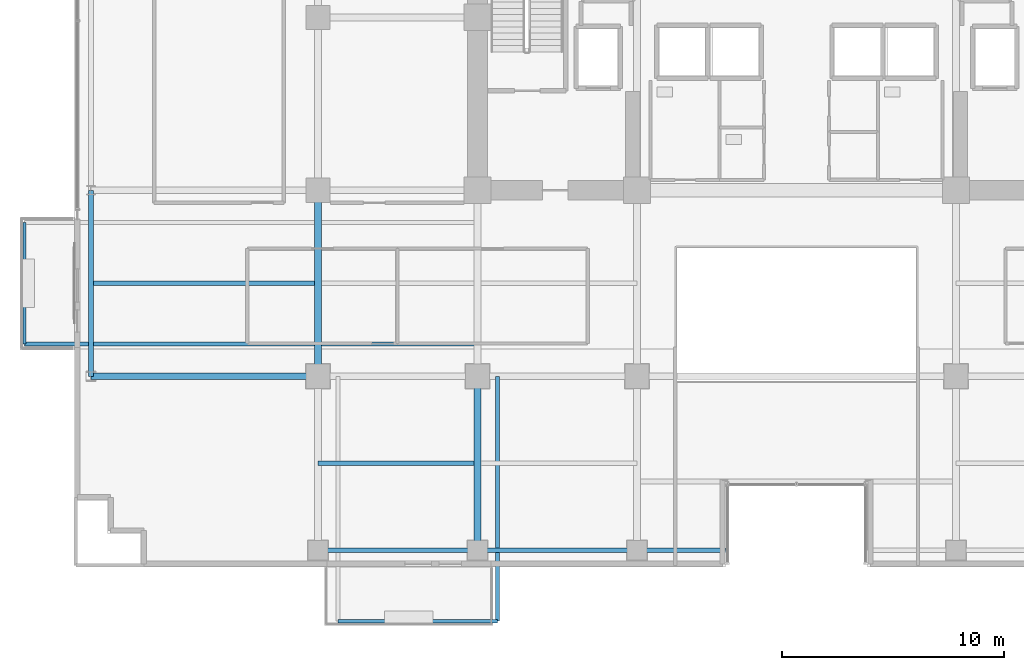
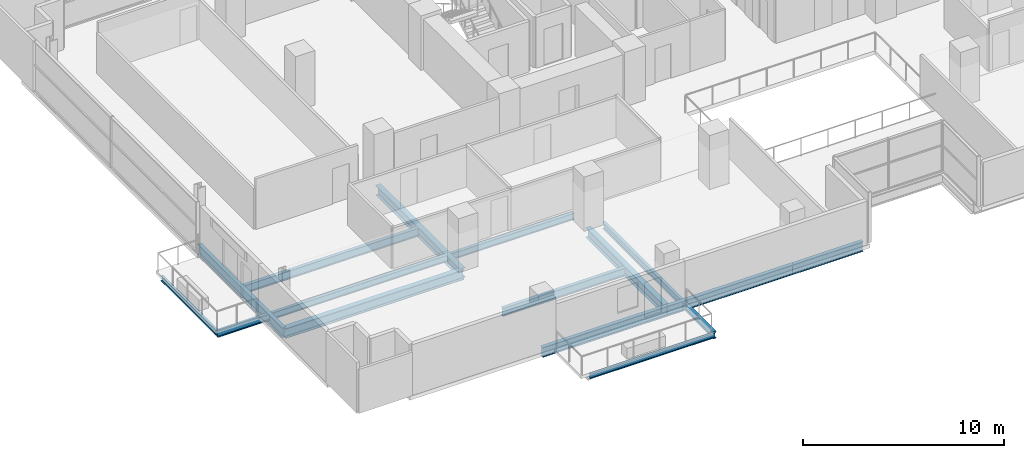
# One storey, part 2 of 31: 13 beams.
"""IFC4 building model written with IfcOpenShell, lengths in metres."""

from ifc_helpers import new_model, si_unit, direction, frame, origin, origin_2d, place, context, subcontext, project, spatial, i_section, extrude, material, material_profile, profile_set, type_object, element, save


model = new_model("IFC4")

# Units and contexts
model_context = context("Model", 3, precision=1e-05, world=origin(), true_north=direction((0.0, 1.0)))
body_context = subcontext(model_context, "Body", "Model", "MODEL_VIEW")
ifc_project = project(units=[si_unit("LENGTHUNIT", "METRE"), si_unit("AREAUNIT", "SQUARE_METRE"), si_unit("VOLUMEUNIT", "CUBIC_METRE"), si_unit("PLANEANGLEUNIT", "RADIAN"), si_unit("MASSUNIT", "GRAM", prefix="KILO")], contexts=[model_context])

# Site, building, storey
site_placement = place(None, origin())
site = spatial("IfcSite", under=ifc_project, at=site_placement, CompositionType="ELEMENT")
building_placement = place(site_placement, origin())
building = spatial("IfcBuilding", under=site, at=building_placement, Name="Zarnakvel Exchange Tower", CompositionType="ELEMENT")
storey_placement = place(building_placement, frame((0.0, 0.0, 47.199951171875)))
storey = spatial("IfcBuildingStorey", under=building, at=storey_placement, Name="L12", CompositionType="ELEMENT", Elevation=47.199951171875)

# Beams
ifc_material = material(Name="Steel S355", Category="steel")
ifc_material_profile_1 = material_profile(ifc_material, i_section(OverallWidth=0.199951171875, OverallDepth=0.5, WebThickness=0.01025390625, FlangeThickness=0.01611328125, FilletRadius=0.02099609375, at=origin_2d()))
ifc_profile_set_1 = profile_set([ifc_material_profile_1], Name="Steel S355")
beam_type_1 = type_object("IfcBeamType", Name="B-04", PredefinedType="JOIST", material=ifc_profile_set_1)
beam_1_placement = place(storey_placement, frame((-21.60009765625, -13.52490234375, -0.474853515625), z_axis=(1.0, 0.0, 0.0), x_axis=(0.0, 1.0, 0.0)))
element("IfcBeam", 1, at=beam_1_placement, inside=storey, type_object=beam_type_1, Name="L12 Composite Floor Secondary Joist", PredefinedType="JOIST", context=body_context, shape_type="SweptSolid", body=[
    extrude(i_section(OverallWidth=0.199951171875, OverallDepth=0.5, WebThickness=0.01025390625, FlangeThickness=0.01611328125, FilletRadius=0.02099609375, at=origin_2d()), origin(), (0.0, 0.0, 1.0), 7.050048828125),
])
beam_2_placement = place(storey_placement, frame((-31.85009765625, -5.39990234375, -0.474853515625), z_axis=(1.0, 0.0, 0.0), x_axis=(0.0, 1.0, 0.0)))
element("IfcBeam", 2, at=beam_2_placement, inside=storey, type_object=beam_type_1, Name="L12 Composite Floor Secondary Joist", PredefinedType="JOIST", context=body_context, shape_type="SweptSolid", body=[
    extrude(i_section(OverallWidth=0.199951171875, OverallDepth=0.5, WebThickness=0.01025390625, FlangeThickness=0.01611328125, FilletRadius=0.02099609375, at=origin_2d()), origin(), (0.0, 0.0, 1.0), 10.10009765625),
])
ifc_material_profile_2 = material_profile(ifc_material, i_section(OverallWidth=0.179931640625, OverallDepth=0.39990234375, WebThickness=0.008544921875, FlangeThickness=0.013427734375, FilletRadius=0.02099609375, at=origin_2d()))
ifc_profile_set_2 = profile_set([ifc_material_profile_2], Name="Steel S355")
beam_type_2 = type_object("IfcBeamType", Name="B-06", PredefinedType="JOIST", material=ifc_profile_set_2)
beam_3_placement = place(storey_placement, frame((-13.5, -9.60009765625, -0.425048828125), z_axis=(0.0, -1.0, 0.0), x_axis=(1.0, 0.0, 0.0)))
element("IfcBeam", 3, at=beam_3_placement, inside=storey, type_object=beam_type_2, Name="L12 Continuous Back-Spanned Balcony Beam E", PredefinedType="JOIST", context=body_context, shape_type="SweptSolid", body=[
    extrude(i_section(OverallWidth=0.179931640625, OverallDepth=0.39990234375, WebThickness=0.008544921875, FlangeThickness=0.013427734375, FilletRadius=0.02099609375, at=origin_2d()), origin(), (0.0, 0.0, 1.0), 11.0498046875),
])
beam_4_placement = place(storey_placement, frame((-14.39990234375, -8.14990234375, -0.425048828125), z_axis=(-1.0, 0.0, 0.0), x_axis=(0.0, -1.0, 0.0)))
element("IfcBeam", 4, at=beam_4_placement, inside=storey, type_object=beam_type_2, Name="L12 Continuous West Loggia Beam S", PredefinedType="JOIST", context=body_context, shape_type="SweptSolid", body=[
    extrude(i_section(OverallWidth=0.179931640625, OverallDepth=0.39990234375, WebThickness=0.008544921875, FlangeThickness=0.013427734375, FilletRadius=0.02099609375, at=origin_2d()), origin(), (0.0, 0.0, 1.0), 20.4501953125),
])
ifc_material_profile_3 = material_profile(ifc_material, i_section(OverallWidth=0.14990234375, OverallDepth=0.300048828125, WebThickness=0.007080078125, FlangeThickness=0.0107421875, FilletRadius=0.014892578125, at=origin_2d()))
ifc_profile_set_3 = profile_set([ifc_material_profile_3], Name="Steel S355")
beam_type_3 = type_object("IfcBeamType", Name="B-08", PredefinedType="JOIST", material=ifc_profile_set_3)
beam_5_placement = place(storey_placement, frame((-20.699951171875, -20.64990234375, -0.375), z_axis=(1.0, 0.0, 0.0), x_axis=(0.0, 1.0, 0.0)))
element("IfcBeam", 5, at=beam_5_placement, inside=storey, type_object=beam_type_3, Name="L12 Balcony Edge Beam", PredefinedType="JOIST", context=body_context, shape_type="SweptSolid", body=[
    extrude(i_section(OverallWidth=0.14990234375, OverallDepth=0.300048828125, WebThickness=0.007080078125, FlangeThickness=0.0107421875, FilletRadius=0.014892578125, at=origin_2d()), origin(), (0.0, 0.0, 1.0), 7.199951171875),
])
beam_6_placement = place(storey_placement, frame((-34.85009765625, -8.14990234375, -0.375), z_axis=(0.0, 1.0, 0.0), x_axis=(-1.0, 0.0, 0.0)))
element("IfcBeam", 6, at=beam_6_placement, inside=storey, type_object=beam_type_3, Name="L12 West Loggia Edge Beam", PredefinedType="JOIST", context=body_context, shape_type="SweptSolid", body=[
    extrude(i_section(OverallWidth=0.14990234375, OverallDepth=0.300048828125, WebThickness=0.007080078125, FlangeThickness=0.0107421875, FilletRadius=0.014892578125, at=origin_2d()), origin(), (0.0, 0.0, 1.0), 5.5),
])
ifc_material_profile_4 = material_profile(ifc_material, i_section(OverallWidth=0.300048828125, OverallDepth=0.60009765625, WebThickness=0.015380859375, FlangeThickness=0.030029296875, FilletRadius=0.027099609375, at=origin_2d()))
ifc_profile_set_4 = profile_set([ifc_material_profile_4], Name="Steel S355")
beam_type_4 = type_object("IfcBeamType", Name="G-04", PredefinedType="BEAM", material=ifc_profile_set_4)
beam_7_placement = place(storey_placement, frame((-31.85009765625, -9.60009765625, -0.52490234375), z_axis=(1.0, 0.0, 0.0), x_axis=(0.0, 1.0, 0.0)))
element("IfcBeam", 7, at=beam_7_placement, inside=storey, type_object=beam_type_4, Name="L12 Tower E-W Frame Beam", PredefinedType="BEAM", context=body_context, shape_type="SweptSolid", body=[
    extrude(i_section(OverallWidth=0.300048828125, OverallDepth=0.60009765625, WebThickness=0.015380859375, FlangeThickness=0.030029296875, FilletRadius=0.027099609375, at=origin_2d()), origin(), (0.0, 0.0, 1.0), 10.25),
])
beam_8_placement = place(storey_placement, frame((-21.60009765625, -9.60009765625, -0.52490234375), z_axis=(0.0, 1.0, 0.0), x_axis=(-1.0, 0.0, 0.0)))
element("IfcBeam", 8, at=beam_8_placement, inside=storey, type_object=beam_type_4, Name="L12 Tower N-S Frame Beam", PredefinedType="BEAM", context=body_context, shape_type="SweptSolid", body=[
    extrude(i_section(OverallWidth=0.300048828125, OverallDepth=0.60009765625, WebThickness=0.015380859375, FlangeThickness=0.030029296875, FilletRadius=0.027099609375, at=origin_2d()), origin(), (0.0, 0.0, 1.0), 8.400146484375),
])
beam_9_placement = place(storey_placement, frame((-14.39990234375, -17.449951171875, -0.52490234375), z_axis=(0.0, 1.0, 0.0), x_axis=(-1.0, 0.0, 0.0)))
element("IfcBeam", 9, at=beam_9_placement, inside=storey, type_object=beam_type_4, Name="L12 Tower N-S Frame Beam", PredefinedType="BEAM", context=body_context, shape_type="SweptSolid", body=[
    extrude(i_section(OverallWidth=0.300048828125, OverallDepth=0.60009765625, WebThickness=0.015380859375, FlangeThickness=0.030029296875, FilletRadius=0.027099609375, at=origin_2d()), origin(), (0.0, 0.0, 1.0), 7.849853515625),
])
ifc_material_profile_5 = material_profile(ifc_material, i_section(OverallWidth=0.219970703125, OverallDepth=0.60009765625, WebThickness=0.011962890625, FlangeThickness=0.01904296875, FilletRadius=0.02392578125, at=origin_2d()))
ifc_profile_set_5 = profile_set([ifc_material_profile_5], Name="Steel S355")
beam_type_5 = type_object("IfcBeamType", Name="SP-01", PredefinedType="SPANDREL", material=ifc_profile_set_5)
beam_10_placement = place(storey_placement, frame((-21.60009765625, -17.449951171875, -0.52490234375), z_axis=(1.0, 0.0, 0.0), x_axis=(0.0, 1.0, 0.0)))
element("IfcBeam", 10, at=beam_10_placement, inside=storey, type_object=beam_type_5, Name="L12 Tower E-W Frame Beam", PredefinedType="SPANDREL", context=body_context, shape_type="SweptSolid", body=[
    extrude(i_section(OverallWidth=0.219970703125, OverallDepth=0.60009765625, WebThickness=0.011962890625, FlangeThickness=0.01904296875, FilletRadius=0.02392578125, at=origin_2d()), origin(), (0.0, 0.0, 1.0), 7.2001953125),
])
beam_11_placement = place(storey_placement, frame((-14.39990234375, -17.449951171875, -0.52490234375), z_axis=(1.0, 0.0, 0.0), x_axis=(0.0, 1.0, 0.0)))
element("IfcBeam", 11, at=beam_11_placement, inside=storey, type_object=beam_type_5, Name="L12 Tower E-W Frame Beam", PredefinedType="SPANDREL", context=body_context, shape_type="SweptSolid", body=[
    extrude(i_section(OverallWidth=0.219970703125, OverallDepth=0.60009765625, WebThickness=0.011962890625, FlangeThickness=0.01904296875, FilletRadius=0.02392578125, at=origin_2d()), origin(), (0.0, 0.0, 1.0), 7.199951171875),
])
beam_12_placement = place(storey_placement, frame((-7.199951171875, -17.449951171875, -0.52490234375), z_axis=(1.0, 0.0, 0.0), x_axis=(0.0, 1.0, 0.0)))
element("IfcBeam", 12, at=beam_12_placement, inside=storey, type_object=beam_type_5, Name="L12 South Slot West Jamb Spandrel", PredefinedType="SPANDREL", context=body_context, shape_type="SweptSolid", body=[
    extrude(i_section(OverallWidth=0.219970703125, OverallDepth=0.60009765625, WebThickness=0.011962890625, FlangeThickness=0.01904296875, FilletRadius=0.02392578125, at=origin_2d()), origin(), (0.0, 0.0, 1.0), 4.0),
])
beam_13_placement = place(storey_placement, frame((-31.85009765625, -9.60009765625, -0.52490234375), z_axis=(0.0, 1.0, 0.0), x_axis=(-1.0, 0.0, 0.0)))
element("IfcBeam", 13, at=beam_13_placement, inside=storey, type_object=beam_type_5, Name="L12 Tower N-S Frame Beam", PredefinedType="SPANDREL", context=body_context, shape_type="SweptSolid", body=[
    extrude(i_section(OverallWidth=0.219970703125, OverallDepth=0.60009765625, WebThickness=0.011962890625, FlangeThickness=0.01904296875, FilletRadius=0.02392578125, at=origin_2d()), origin(), (0.0, 0.0, 1.0), 8.400146484375),
])

save(model, "model.ifc")
